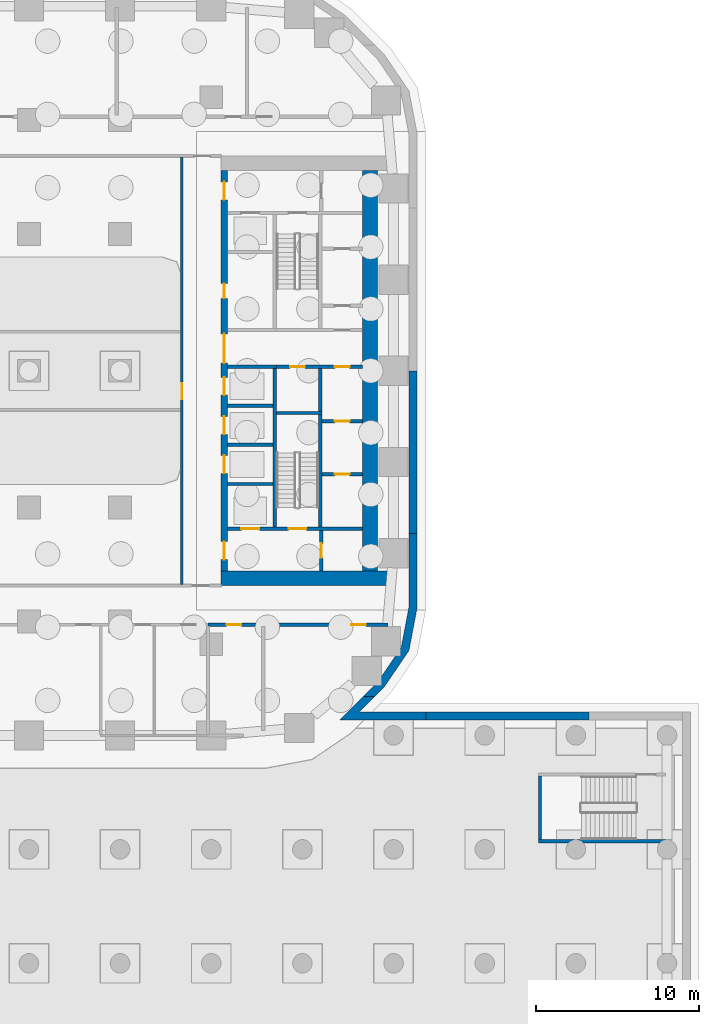
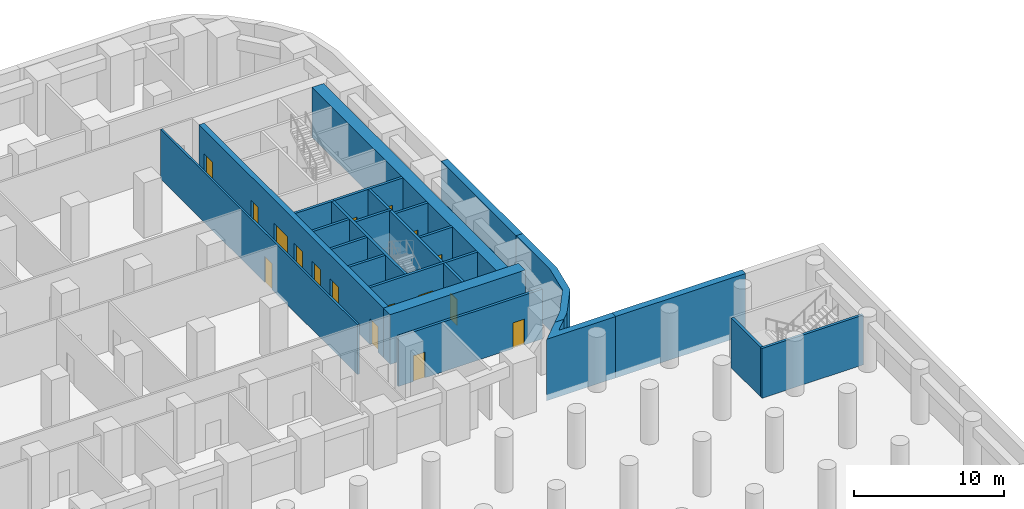
# One storey, part 13 of 23: 24 walls, 17 doors, 17 openings.
"""IFC4 building model written with IfcOpenShell, lengths in metres."""

from ifc_helpers import new_model, si_unit, direction, frame, frame_2d, origin, place, context, subcontext, project, spatial, polyline, rectangle, outline, extrude, material, layer, layer_set, type_object, element, fill, save


model = new_model("IFC4")

# Units and contexts
model_context = context("Model", 3, precision=1e-05, world=origin(), true_north=direction((0.0, 1.0)))
body_context = subcontext(model_context, "Body", "Model", "MODEL_VIEW")
ifc_project = project(units=[si_unit("LENGTHUNIT", "METRE"), si_unit("AREAUNIT", "SQUARE_METRE"), si_unit("VOLUMEUNIT", "CUBIC_METRE"), si_unit("PLANEANGLEUNIT", "RADIAN"), si_unit("MASSUNIT", "GRAM", prefix="KILO")], contexts=[model_context])

# Site, building, storey
site_placement = place(None, origin())
site = spatial("IfcSite", under=ifc_project, at=site_placement, CompositionType="ELEMENT")
building_placement = place(site_placement, origin())
building = spatial("IfcBuilding", under=site, at=building_placement, Name="Kiln Ring Residences", CompositionType="ELEMENT")
storey_placement = place(building_placement, frame((0.0, 0.0, -4.5)))
storey = spatial("IfcBuildingStorey", under=building, at=storey_placement, Name="B1", CompositionType="ELEMENT", Elevation=-4.5)

# Walls
ifc_material_1 = material(Name="Concrete C50/60", Category="concrete")
ifc_layer_1 = layer(ifc_material_1, 0.5)
ifc_layer_set_1 = layer_set([ifc_layer_1], Name="Basement retaining wall 500 C50/60")
wall_type_1 = type_object("IfcWallType", Name="Basement retaining wall 500 C50/60", PredefinedType="SOLIDWALL", material=ifc_layer_set_1)
placement = place(storey_placement, frame((0.0, 0.0, -0.5)))
element("IfcWall", 1, at=placement, inside=storey, type_object=wall_type_1, Name="Basement retaining wall B1 26", PredefinedType="SOLIDWALL", context=body_context, shape_type="SweptSolid", body=[
    extrude(outline(polyline([(26.8505859375, -20.0), (26.1435546875, -20.0), (24.705322265625, -21.438232421875), (24.68798828125, -21.449951171875), (30.0, -21.449951171875), (30.0, -20.949951171875), (25.900634765625, -20.949951171875), (26.8505859375, -20.0)])), origin(), (0.0, 0.0, 1.0), 5.0),
])
element("IfcWall", 2, at=placement, inside=storey, type_object=wall_type_1, Name="Basement retaining wall B1 27", PredefinedType="SOLIDWALL", context=body_context, shape_type="SweptSolid", body=[
    extrude(outline(polyline([(29.449951171875, -10.0), (28.949951171875, -10.0), (28.949951171875, -14.48974609375), (28.47216796875, -16.99560546875), (27.0380859375, -19.105224609375), (26.1435546875, -20.0), (26.8505859375, -20.0), (27.425048828125, -19.425537109375), (28.94384765625, -17.19091796875), (29.449951171875, -14.537109375), (29.449951171875, -10.0)])), origin(), (0.0, 0.0, 1.0), 5.0),
])
element("IfcWall", 3, at=placement, inside=storey, type_object=wall_type_1, Name="Basement retaining wall B1 28", PredefinedType="SOLIDWALL", context=body_context, shape_type="SweptSolid", body=[
    extrude(outline(polyline([(29.449951171875, 0.0), (28.949951171875, 0.0), (28.949951171875, -10.0), (29.449951171875, -10.0), (29.449951171875, 0.0)])), origin(), (0.0, 0.0, 1.0), 5.0),
])
element("IfcWall", 4, at=placement, inside=storey, type_object=wall_type_1, Name="Basement retaining wall B1 33", PredefinedType="SOLIDWALL", context=body_context, shape_type="SweptSolid", body=[
    extrude(outline(polyline([(30.0, -20.949951171875), (30.0, -21.449951171875), (40.0, -21.449951171875), (40.0, -20.949951171875), (30.0, -20.949951171875)])), origin(), (0.0, 0.0, 1.0), 5.0),
])
ifc_material_2 = material(Name="Gypsum board on steel studs", Category="steel")
ifc_layer_2 = layer(ifc_material_2, 0.199951171875)
ifc_layer_set_2 = layer_set([ifc_layer_2], Name="CORE-PARTITION-200")
wall_type_2 = type_object("IfcWallType", Name="CORE-PARTITION-200", PredefinedType="PARTITIONING", material=ifc_layer_set_2)
wall_5_placement = place(storey_placement, frame((23.5, -2.5, 0.0), z_axis=(0.0, 0.0, 1.0), x_axis=(0.0, 1.0, 0.0)))
element("IfcWall", 5, at=wall_5_placement, inside=storey, type_object=wall_type_2, Name="Core partition east B1 1", PredefinedType="PARTITIONING", context=body_context, shape_type="SweptSolid", body=[
    extrude(rectangle(XDim=2.64990234375, YDim=0.199951171875, at=frame_2d((1.324951171875, 0.0))), origin(), (0.0, 0.0, 1.0), 4.050048828125),
])

# Wall, openings, doors
wall_6_placement = place(storey_placement, frame((20.800048828125, 0.25, 0.0), z_axis=(0.0, 0.0, 1.0), x_axis=(1.0, 0.0, 0.0)))
wall_6 = element("IfcWall", 6, at=wall_6_placement, inside=storey, type_object=wall_type_2, Name="Core partition east B1 2", PredefinedType="PARTITIONING", context=body_context, shape_type="SweptSolid", body=[
    extrude(rectangle(XDim=5.300048828125, YDim=0.199951171875, at=frame_2d((2.64990234375, 0.0))), origin(), (0.0, 0.0, 1.0), 4.050048828125),
])
opening_1_placement = place(wall_6_placement, frame((0.85009765625, 0.0, 0.0)))
opening_1 = element("IfcOpeningElement", 7, at=opening_1_placement, cuts=wall_6, Name="Opening B1-CE14", PredefinedType="OPENING", context=body_context, shape_type="SweptSolid", body=[
    extrude(rectangle(XDim=0.89990234375, YDim=2.10009765625, at=frame_2d((0.449951171875, 1.050048828125))), frame((0.0, 0.10986328125, 0.0), z_axis=(0.0, -1.0, 0.0), x_axis=(1.0, 0.0, 0.0)), (0.0, 0.0, 1.0), 0.219970703125),
])
opening_2_placement = place(wall_6_placement, frame((3.60009765625, 0.0, 0.0)))
opening_2 = element("IfcOpeningElement", 8, at=opening_2_placement, cuts=wall_6, Name="Opening B1-CE17", PredefinedType="OPENING", context=body_context, shape_type="SweptSolid", body=[
    extrude(rectangle(XDim=0.89990234375, YDim=2.10009765625, at=frame_2d((0.449951171875, 1.050048828125))), frame((0.0, 0.10986328125, 0.0), z_axis=(0.0, -1.0, 0.0), x_axis=(1.0, 0.0, 0.0)), (0.0, 0.0, 1.0), 0.219970703125),
])
ifc_material_3 = material(Name="Steel door leaf", Category="steel")
door_type_1 = type_object("IfcDoorType", Name="CORE-DOOR-ROOM", OperationType="SINGLE_SWING_LEFT", PredefinedType="DOOR", material=ifc_material_3)
door_1_placement = place(opening_1_placement, origin())
door_1 = element("IfcDoor", 9, at=door_1_placement, inside=storey, type_object=door_type_1, Name="Electrical riser room B1-CE14", OperationType="SINGLE_SWING_LEFT", OverallHeight=2.10009765625, OverallWidth=0.89990234375, PredefinedType="DOOR", context=body_context, shape_type="SweptSolid", body=[
    extrude(rectangle(XDim=0.89990234375, YDim=2.10009765625, at=frame_2d((0.449951171875, 1.050048828125))), frame((0.0, 0.02490234375, 0.0), z_axis=(0.0, -1.0, 0.0), x_axis=(1.0, 0.0, 0.0)), (0.0, 0.0, 1.0), 0.050048828125),
])
fill(opening_1, door_1)
door_2_placement = place(opening_2_placement, origin())
door_2 = element("IfcDoor", 10, at=door_2_placement, inside=storey, type_object=door_type_1, Name="Plant room B1-CE17", OperationType="SINGLE_SWING_RIGHT", OverallHeight=2.10009765625, OverallWidth=0.89990234375, PredefinedType="DOOR", context=body_context, shape_type="SweptSolid", body=[
    extrude(rectangle(XDim=0.89990234375, YDim=2.10009765625, at=frame_2d((0.449951171875, 1.050048828125))), frame((0.0, 0.02490234375, 0.0), z_axis=(0.0, -1.0, 0.0), x_axis=(1.0, 0.0, 0.0)), (0.0, 0.0, 1.0), 0.050048828125),
])
fill(opening_2, door_2)

# Wall, opening, door
wall_7_placement = place(storey_placement, frame((23.550048828125, -12.300048828125, 0.0), z_axis=(0.0, 0.0, 1.0), x_axis=(0.0, 1.0, 0.0)))
wall_7 = element("IfcWall", 11, at=wall_7_placement, inside=storey, type_object=wall_type_2, Name="Core partition east B1 4", PredefinedType="PARTITIONING", context=body_context, shape_type="SweptSolid", body=[
    extrude(rectangle(XDim=2.5, YDim=0.199951171875, at=frame_2d((1.25, 0.0))), origin(), (0.0, 0.0, 1.0), 4.050048828125),
])
opening_3_placement = place(wall_7_placement, frame((0.800048828125, 0.0, 0.0)))
opening_3 = element("IfcOpeningElement", 12, at=opening_3_placement, cuts=wall_7, Name="Opening B1-CE10", PredefinedType="OPENING", context=body_context, shape_type="SweptSolid", body=[
    extrude(rectangle(XDim=0.89990234375, YDim=2.10009765625, at=frame_2d((0.449951171875, 1.050048828125))), frame((0.0, 0.10986328125, 0.0), z_axis=(0.0, -1.0, 0.0), x_axis=(1.0, 0.0, 0.0)), (0.0, 0.0, 1.0), 0.219970703125),
])
door_3_placement = place(opening_3_placement, origin())
door_3 = element("IfcDoor", 13, at=door_3_placement, inside=storey, type_object=door_type_1, Name="Store B1-CE10", OperationType="SINGLE_SWING_LEFT", OverallHeight=2.10009765625, OverallWidth=0.89990234375, PredefinedType="DOOR", context=body_context, shape_type="SweptSolid", body=[
    extrude(rectangle(XDim=0.89990234375, YDim=2.10009765625, at=frame_2d((0.449951171875, 1.050048828125))), frame((0.0, 0.02490234375, 0.0), z_axis=(0.0, -1.0, 0.0), x_axis=(1.0, 0.0, 0.0)), (0.0, 0.0, 1.0), 0.050048828125),
])
fill(opening_3, door_3)

wall_8_placement = place(storey_placement, frame((23.60009765625, -6.35009765625, 0.0), z_axis=(0.0, 0.0, 1.0), x_axis=(1.0, 0.0, 0.0)))
wall_8 = element("IfcWall", 14, at=wall_8_placement, inside=storey, type_object=wall_type_2, Name="Core partition east B1 5", PredefinedType="PARTITIONING", context=body_context, shape_type="SweptSolid", body=[
    extrude(rectangle(XDim=2.5, YDim=0.199951171875, at=frame_2d((1.25, 0.0))), origin(), (0.0, 0.0, 1.0), 4.050048828125),
])
opening_4_placement = place(wall_8_placement, frame((0.800048828125, 0.0, 0.0)))
opening_4 = element("IfcOpeningElement", 15, at=opening_4_placement, cuts=wall_8, Name="Opening B1-CE15", PredefinedType="OPENING", context=body_context, shape_type="SweptSolid", body=[
    extrude(rectangle(XDim=0.89990234375, YDim=2.10009765625, at=frame_2d((0.449951171875, 1.050048828125))), frame((0.0, 0.10986328125, 0.0), z_axis=(0.0, -1.0, 0.0), x_axis=(1.0, 0.0, 0.0)), (0.0, 0.0, 1.0), 0.219970703125),
])
door_4_placement = place(opening_4_placement, origin())
door_4 = element("IfcDoor", 16, at=door_4_placement, inside=storey, type_object=door_type_1, Name="Meter room B1-CE15", OperationType="SINGLE_SWING_LEFT", OverallHeight=2.10009765625, OverallWidth=0.89990234375, PredefinedType="DOOR", context=body_context, shape_type="SweptSolid", body=[
    extrude(rectangle(XDim=0.89990234375, YDim=2.10009765625, at=frame_2d((0.449951171875, 1.050048828125))), frame((0.0, 0.02490234375, 0.0), z_axis=(0.0, -1.0, 0.0), x_axis=(1.0, 0.0, 0.0)), (0.0, 0.0, 1.0), 0.050048828125),
])
fill(opening_4, door_4)

wall_9_placement = place(storey_placement, frame((23.60009765625, -3.10009765625, 0.0), z_axis=(0.0, 0.0, 1.0), x_axis=(1.0, 0.0, 0.0)))
wall_9 = element("IfcWall", 17, at=wall_9_placement, inside=storey, type_object=wall_type_2, Name="Core partition east B1 6", PredefinedType="PARTITIONING", context=body_context, shape_type="SweptSolid", body=[
    extrude(rectangle(XDim=2.5, YDim=0.199951171875, at=frame_2d((1.25, 0.0))), origin(), (0.0, 0.0, 1.0), 4.050048828125),
])
opening_5_placement = place(wall_9_placement, frame((0.800048828125, 0.0, 0.0)))
opening_5 = element("IfcOpeningElement", 18, at=opening_5_placement, cuts=wall_9, Name="Opening B1-CE16", PredefinedType="OPENING", context=body_context, shape_type="SweptSolid", body=[
    extrude(rectangle(XDim=0.89990234375, YDim=2.10009765625, at=frame_2d((0.449951171875, 1.050048828125))), frame((0.0, 0.10986328125, 0.0), z_axis=(0.0, -1.0, 0.0), x_axis=(1.0, 0.0, 0.0)), (0.0, 0.0, 1.0), 0.219970703125),
])
door_5_placement = place(opening_5_placement, origin())
door_5 = element("IfcDoor", 19, at=door_5_placement, inside=storey, type_object=door_type_1, Name="Plant room B1-CE16", OperationType="SINGLE_SWING_RIGHT", OverallHeight=2.10009765625, OverallWidth=0.89990234375, PredefinedType="DOOR", context=body_context, shape_type="SweptSolid", body=[
    extrude(rectangle(XDim=0.89990234375, YDim=2.10009765625, at=frame_2d((0.449951171875, 1.050048828125))), frame((0.0, 0.02490234375, 0.0), z_axis=(0.0, -1.0, 0.0), x_axis=(1.0, 0.0, 0.0)), (0.0, 0.0, 1.0), 0.050048828125),
])
fill(opening_5, door_5)

# Walls
ifc_material_4 = material(Name="Gypsum shaft wall system")
ifc_layer_3 = layer(ifc_material_4, 0.199951171875)
ifc_layer_set_3 = layer_set([ifc_layer_3], Name="CORE-SHAFT-WALL-200")
wall_type_3 = type_object("IfcWallType", Name="CORE-SHAFT-WALL-200", PredefinedType="PARTITIONING", material=ifc_layer_set_3)
for number, where, z_axis, x_axis, name in (
    (20, (17.800048828125, -6.949951171875, 0.0), (0.0, 0.0, 1.0), (1.0, 0.0, 0.0), "Core partition east B1 9"),
    (21, (17.800048828125, -4.550048828125, 0.0), (0.0, 0.0, 1.0), (1.0, 0.0, 0.0), "Core partition east B1 10"),
    (22, (17.800048828125, -2.14990234375, 0.0), (0.0, 0.0, 1.0), (1.0, 0.0, 0.0), "Core partition east B1 11"),
):
    element("IfcWall", number, at=place(storey_placement, frame(where, z_axis=z_axis, x_axis=x_axis)), inside=storey, type_object=wall_type_3, Name=name, PredefinedType="PARTITIONING", context=body_context, shape_type="SweptSolid", body=[
        extrude(rectangle(XDim=2.800048828125, YDim=0.199951171875, at=frame_2d((1.39990234375, 0.0))), origin(), (0.0, 0.0, 1.0), 4.050048828125),
    ])
wall_10_placement = place(storey_placement, frame((17.800048828125, 0.25, 0.0), z_axis=(0.0, 0.0, 1.0), x_axis=(1.0, 0.0, 0.0)))
element("IfcWall", 23, at=wall_10_placement, inside=storey, type_object=wall_type_3, Name="Core partition east B1 12", PredefinedType="PARTITIONING", context=body_context, shape_type="SweptSolid", body=[
    extrude(rectangle(XDim=3.0, YDim=0.199951171875, at=frame_2d((1.5, 0.0))), origin(), (0.0, 0.0, 1.0), 4.050048828125),
])
ifc_material_5 = material(Name="Concrete C40/50", Category="concrete")
ifc_layer_4 = layer(ifc_material_5, 0.199951171875)
ifc_layer_set_4 = layer_set([ifc_layer_4], Name="CORE-WALL-RC200")
wall_type_4 = type_object("IfcWallType", Name="CORE-WALL-RC200", PredefinedType="SHEAR", material=ifc_layer_set_4)
wall_11_placement = place(storey_placement, frame((20.699951171875, -9.60009765625, 0.0), z_axis=(0.0, 0.0, 1.0), x_axis=(0.0, 1.0, 0.0)))
element("IfcWall", 24, at=wall_11_placement, inside=storey, type_object=wall_type_4, Name="Core wall east B1 2", PredefinedType="SHEAR", context=body_context, shape_type="SweptSolid", body=[
    extrude(rectangle(XDim=9.75, YDim=0.199951171875, at=frame_2d((4.875, 0.0))), origin(), (0.0, 0.0, 1.0), 4.050048828125),
])

# Wall, openings, doors
wall_12_placement = place(storey_placement, frame((17.800048828125, -9.699951171875, 0.0), z_axis=(0.0, 0.0, 1.0), x_axis=(1.0, 0.0, 0.0)))
wall_12 = element("IfcWall", 25, at=wall_12_placement, inside=storey, type_object=wall_type_4, Name="Core wall east B1 8", PredefinedType="SHEAR", context=body_context, shape_type="SweptSolid", body=[
    extrude(rectangle(XDim=8.300048828125, YDim=0.199951171875, at=frame_2d((4.14990234375, 0.0))), origin(), (0.0, 0.0, 1.0), 4.050048828125),
])
opening_6_placement = place(wall_12_placement, frame((0.85009765625, 0.0, 0.0)))
opening_6 = element("IfcOpeningElement", 26, at=opening_6_placement, cuts=wall_12, Name="Opening B1-CE01", PredefinedType="OPENING", context=body_context, shape_type="SweptSolid", body=[
    extrude(rectangle(XDim=1.10009765625, YDim=2.10009765625, at=frame_2d((0.550048828125, 1.050048828125))), frame((0.0, 0.10986328125, 0.0), z_axis=(0.0, -1.0, 0.0), x_axis=(1.0, 0.0, 0.0)), (0.0, 0.0, 1.0), 0.219970703125),
])
opening_7_placement = place(wall_12_placement, frame((3.75, 0.0, 0.0)))
opening_7 = element("IfcOpeningElement", 27, at=opening_7_placement, cuts=wall_12, Name="Opening B1-CE12", PredefinedType="OPENING", context=body_context, shape_type="SweptSolid", body=[
    extrude(rectangle(XDim=1.10009765625, YDim=2.10009765625, at=frame_2d((0.550048828125, 1.050048828125))), frame((0.0, 0.10986328125, 0.0), z_axis=(0.0, -1.0, 0.0), x_axis=(1.0, 0.0, 0.0)), (0.0, 0.0, 1.0), 0.219970703125),
])
ifc_material_6 = material(Name="Steel door leaf", Category="steel")
door_type_2 = type_object("IfcDoorType", Name="CORE-DOOR-LD", OperationType="DOUBLE_DOOR_SLIDING", PredefinedType="DOOR", material=ifc_material_6)
door_6_placement = place(opening_6_placement, origin())
door_6 = element("IfcDoor", 28, at=door_6_placement, inside=storey, type_object=door_type_2, Name="LD E-SV B1-CE01", OperationType="DOUBLE_DOOR_SLIDING", OverallHeight=2.10009765625, OverallWidth=1.10009765625, PredefinedType="DOOR", context=body_context, shape_type="SweptSolid", body=[
    extrude(rectangle(XDim=1.10009765625, YDim=2.10009765625, at=frame_2d((0.550048828125, 1.050048828125))), frame((0.0, 0.02490234375, 0.0), z_axis=(0.0, -1.0, 0.0), x_axis=(1.0, 0.0, 0.0)), (0.0, 0.0, 1.0), 0.050048828125),
])
fill(opening_6, door_6)
ifc_material_7 = material(Name="Steel door leaf", Category="steel")
door_type_3 = type_object("IfcDoorType", Name="CORE-DOOR-STAIR", OperationType="SINGLE_SWING_LEFT", PredefinedType="DOOR", material=ifc_material_7)
door_7_placement = place(opening_7_placement, origin())
door_7 = element("IfcDoor", 29, at=door_7_placement, inside=storey, type_object=door_type_3, Name="Stair E-STS B1-CE12", OperationType="SINGLE_SWING_RIGHT", OverallHeight=2.10009765625, OverallWidth=1.10009765625, PredefinedType="DOOR", context=body_context, shape_type="SweptSolid", body=[
    extrude(rectangle(XDim=1.10009765625, YDim=2.10009765625, at=frame_2d((0.550048828125, 1.050048828125))), frame((0.0, 0.02490234375, 0.0), z_axis=(0.0, -1.0, 0.0), x_axis=(1.0, 0.0, 0.0)), (0.0, 0.0, 1.0), 0.050048828125),
])
fill(opening_7, door_7)

# Walls
wall_13_placement = place(storey_placement, frame((23.5, -9.60009765625, 0.0), z_axis=(0.0, 0.0, 1.0), x_axis=(0.0, 1.0, 0.0)))
element("IfcWall", 30, at=wall_13_placement, inside=storey, type_object=wall_type_4, Name="Core wall east B1 11", PredefinedType="SHEAR", context=body_context, shape_type="SweptSolid", body=[
    extrude(rectangle(XDim=6.900146484375, YDim=0.199951171875, at=frame_2d((3.4501953125, 0.0))), origin(), (0.0, 0.0, 1.0), 4.050048828125),
])
wall_14_placement = place(storey_placement, frame((20.800048828125, -2.60009765625, 0.0), z_axis=(0.0, 0.0, 1.0), x_axis=(1.0, 0.0, 0.0)))
element("IfcWall", 31, at=wall_14_placement, inside=storey, type_object=wall_type_4, Name="Core wall east B1 12", PredefinedType="SHEAR", context=body_context, shape_type="SweptSolid", body=[
    extrude(rectangle(XDim=2.800048828125, YDim=0.199951171875, at=frame_2d((1.39990234375, 0.0))), origin(), (0.0, 0.0, 1.0), 4.050048828125),
])

# Wall, openings, doors
ifc_material_8 = material(Name="Concrete C60/75", Category="concrete")
ifc_layer_5 = layer(ifc_material_8, 0.39990234375)
ifc_layer_set_5 = layer_set([ifc_layer_5], Name="CORE-WALL-RC400")
wall_type_5 = type_object("IfcWallType", Name="CORE-WALL-RC400", PredefinedType="SHEAR", material=ifc_layer_set_5)
wall_15_placement = place(storey_placement, frame((17.60009765625, -12.300048828125, 0.0), z_axis=(0.0, 0.0, 1.0), x_axis=(0.0, 1.0, 0.0)))
wall_15 = element("IfcWall", 32, at=wall_15_placement, inside=storey, type_object=wall_type_5, Name="Core wall east B1 6", PredefinedType="SHEAR", context=body_context, shape_type="SweptSolid", body=[
    extrude(rectangle(XDim=24.60009765625, YDim=0.39990234375, at=frame_2d((12.300048828125, 0.0))), origin(), (0.0, 0.0, 1.0), 4.050048828125),
])
opening_8_placement = place(wall_15_placement, frame((6.0, 0.0, 0.0)))
opening_8 = element("IfcOpeningElement", 33, at=opening_8_placement, cuts=wall_15, Name="Opening B1-CE02", PredefinedType="OPENING", context=body_context, shape_type="SweptSolid", body=[
    extrude(rectangle(XDim=1.10009765625, YDim=2.10009765625, at=frame_2d((0.550048828125, 1.050048828125))), frame((0.0, 0.2099609375, 0.0), z_axis=(0.0, -1.0, 0.0), x_axis=(1.0, 0.0, 0.0)), (0.0, 0.0, 1.0), 0.419921875),
])
opening_9_placement = place(wall_15_placement, frame((8.39990234375, 0.0, 0.0)))
opening_9 = element("IfcOpeningElement", 34, at=opening_9_placement, cuts=wall_15, Name="Opening B1-CE03", PredefinedType="OPENING", context=body_context, shape_type="SweptSolid", body=[
    extrude(rectangle(XDim=1.10009765625, YDim=2.10009765625, at=frame_2d((0.550048828125, 1.050048828125))), frame((0.0, 0.2099609375, 0.0), z_axis=(0.0, -1.0, 0.0), x_axis=(1.0, 0.0, 0.0)), (0.0, 0.0, 1.0), 0.419921875),
])
opening_10_placement = place(wall_15_placement, frame((10.800048828125, 0.0, 0.0)))
opening_10 = element("IfcOpeningElement", 35, at=opening_10_placement, cuts=wall_15, Name="Opening B1-CE04", PredefinedType="OPENING", context=body_context, shape_type="SweptSolid", body=[
    extrude(rectangle(XDim=1.10009765625, YDim=2.10009765625, at=frame_2d((0.550048828125, 1.050048828125))), frame((0.0, 0.2099609375, 0.0), z_axis=(0.0, -1.0, 0.0), x_axis=(1.0, 0.0, 0.0)), (0.0, 0.0, 1.0), 0.419921875),
])
opening_11_placement = place(wall_15_placement, frame((16.75, 0.0, 0.0)))
opening_11 = element("IfcOpeningElement", 36, at=opening_11_placement, cuts=wall_15, Name="Opening B1-CE05", PredefinedType="OPENING", context=body_context, shape_type="SweptSolid", body=[
    extrude(rectangle(XDim=0.89990234375, YDim=2.10009765625, at=frame_2d((0.449951171875, 1.050048828125))), frame((0.0, 0.2099609375, 0.0), z_axis=(0.0, -1.0, 0.0), x_axis=(1.0, 0.0, 0.0)), (0.0, 0.0, 1.0), 0.419921875),
])
opening_12_placement = place(wall_15_placement, frame((22.800048828125, 0.0, 0.0)))
opening_12 = element("IfcOpeningElement", 37, at=opening_12_placement, cuts=wall_15, Name="Opening B1-CE07", PredefinedType="OPENING", context=body_context, shape_type="SweptSolid", body=[
    extrude(rectangle(XDim=1.10009765625, YDim=2.10009765625, at=frame_2d((0.550048828125, 1.050048828125))), frame((0.0, 0.2099609375, 0.0), z_axis=(0.0, -1.0, 0.0), x_axis=(1.0, 0.0, 0.0)), (0.0, 0.0, 1.0), 0.419921875),
])
opening_13_placement = place(wall_15_placement, frame((0.699951171875, 0.0, 0.0)))
opening_13 = element("IfcOpeningElement", 38, at=opening_13_placement, cuts=wall_15, Name="Opening B1-CE08", PredefinedType="OPENING", context=body_context, shape_type="SweptSolid", body=[
    extrude(rectangle(XDim=1.10009765625, YDim=2.10009765625, at=frame_2d((0.550048828125, 1.050048828125))), frame((0.0, 0.2099609375, 0.0), z_axis=(0.0, -1.0, 0.0), x_axis=(1.0, 0.0, 0.0)), (0.0, 0.0, 1.0), 0.419921875),
])
opening_14_placement = place(wall_15_placement, frame((12.77490234375, 0.0, 0.0)))
opening_14 = element("IfcOpeningElement", 39, at=opening_14_placement, cuts=wall_15, Name="Opening B1-CE13", PredefinedType="OPENING", context=body_context, shape_type="SweptSolid", body=[
    extrude(rectangle(XDim=1.800048828125, YDim=2.10009765625, at=frame_2d((0.89990234375, 1.050048828125))), frame((0.0, 0.2099609375, 0.0), z_axis=(0.0, -1.0, 0.0), x_axis=(1.0, 0.0, 0.0)), (0.0, 0.0, 1.0), 0.419921875),
])
door_8_placement = place(opening_8_placement, origin())
door_8 = element("IfcDoor", 40, at=door_8_placement, inside=storey, type_object=door_type_2, Name="LD E-L1 B1-CE02", OperationType="DOUBLE_DOOR_SLIDING", OverallHeight=2.10009765625, OverallWidth=1.10009765625, PredefinedType="DOOR", context=body_context, shape_type="SweptSolid", body=[
    extrude(rectangle(XDim=1.10009765625, YDim=2.10009765625, at=frame_2d((0.550048828125, 1.050048828125))), frame((0.0, 0.02490234375, 0.0), z_axis=(0.0, -1.0, 0.0), x_axis=(1.0, 0.0, 0.0)), (0.0, 0.0, 1.0), 0.050048828125),
])
fill(opening_8, door_8)
door_9_placement = place(opening_9_placement, origin())
door_9 = element("IfcDoor", 41, at=door_9_placement, inside=storey, type_object=door_type_2, Name="LD E-L2 B1-CE03", OperationType="DOUBLE_DOOR_SLIDING", OverallHeight=2.10009765625, OverallWidth=1.10009765625, PredefinedType="DOOR", context=body_context, shape_type="SweptSolid", body=[
    extrude(rectangle(XDim=1.10009765625, YDim=2.10009765625, at=frame_2d((0.550048828125, 1.050048828125))), frame((0.0, 0.02490234375, 0.0), z_axis=(0.0, -1.0, 0.0), x_axis=(1.0, 0.0, 0.0)), (0.0, 0.0, 1.0), 0.050048828125),
])
fill(opening_9, door_9)
door_10_placement = place(opening_10_placement, origin())
door_10 = element("IfcDoor", 42, at=door_10_placement, inside=storey, type_object=door_type_2, Name="LD E-L3 B1-CE04", OperationType="DOUBLE_DOOR_SLIDING", OverallHeight=2.10009765625, OverallWidth=1.10009765625, PredefinedType="DOOR", context=body_context, shape_type="SweptSolid", body=[
    extrude(rectangle(XDim=1.10009765625, YDim=2.10009765625, at=frame_2d((0.550048828125, 1.050048828125))), frame((0.0, 0.02490234375, 0.0), z_axis=(0.0, -1.0, 0.0), x_axis=(1.0, 0.0, 0.0)), (0.0, 0.0, 1.0), 0.050048828125),
])
fill(opening_10, door_10)
ifc_material_9 = material(Name="Steel door leaf", Category="steel")
door_type_4 = type_object("IfcDoorType", Name="CORE-DOOR-LOBBY", OperationType="SINGLE_SWING_LEFT", PredefinedType="DOOR", material=ifc_material_9)
door_11_placement = place(opening_12_placement, origin())
door_11 = element("IfcDoor", 43, at=door_11_placement, inside=storey, type_object=door_type_4, Name="FFL B1-CE07", OperationType="SINGLE_SWING_LEFT", OverallHeight=2.10009765625, OverallWidth=1.10009765625, PredefinedType="DOOR", context=body_context, shape_type="SweptSolid", body=[
    extrude(rectangle(XDim=1.10009765625, YDim=2.10009765625, at=frame_2d((0.550048828125, 1.050048828125))), frame((0.0, 0.02490234375, 0.0), z_axis=(0.0, -1.0, 0.0), x_axis=(1.0, 0.0, 0.0)), (0.0, 0.0, 1.0), 0.050048828125),
])
fill(opening_12, door_11)
door_12_placement = place(opening_13_placement, origin())
door_12 = element("IfcDoor", 44, at=door_12_placement, inside=storey, type_object=door_type_4, Name="SVL B1-CE08", OperationType="SINGLE_SWING_RIGHT", OverallHeight=2.10009765625, OverallWidth=1.10009765625, PredefinedType="DOOR", context=body_context, shape_type="SweptSolid", body=[
    extrude(rectangle(XDim=1.10009765625, YDim=2.10009765625, at=frame_2d((0.550048828125, 1.050048828125))), frame((0.0, 0.02490234375, 0.0), z_axis=(0.0, -1.0, 0.0), x_axis=(1.0, 0.0, 0.0)), (0.0, 0.0, 1.0), 0.050048828125),
])
fill(opening_13, door_12)
ifc_material_10 = material(Name="Steel door leaf", Category="steel")
door_type_5 = type_object("IfcDoorType", Name="CORE-DOOR-PASS", OperationType="DOUBLE_DOOR_SINGLE_SWING", PredefinedType="DOOR", material=ifc_material_10)
door_13_placement = place(opening_14_placement, origin())
door_13 = element("IfcDoor", 45, at=door_13_placement, inside=storey, type_object=door_type_5, Name="Core passage B1-CE13", OperationType="DOUBLE_DOOR_SINGLE_SWING", OverallHeight=2.10009765625, OverallWidth=1.800048828125, PredefinedType="DOOR", context=body_context, shape_type="SweptSolid", body=[
    extrude(rectangle(XDim=1.800048828125, YDim=2.10009765625, at=frame_2d((0.89990234375, 1.050048828125))), frame((0.0, 0.02490234375, 0.0), z_axis=(0.0, -1.0, 0.0), x_axis=(1.0, 0.0, 0.0)), (0.0, 0.0, 1.0), 0.050048828125),
])
fill(opening_14, door_13)
door_14_placement = place(opening_11_placement, origin())
door_14 = element("IfcDoor", 46, at=door_14_placement, inside=storey, type_object=door_type_1, Name="Housekeeping store B1-CE05", OperationType="SINGLE_SWING_RIGHT", OverallHeight=2.10009765625, OverallWidth=0.89990234375, PredefinedType="DOOR", context=body_context, shape_type="SweptSolid", body=[
    extrude(rectangle(XDim=0.89990234375, YDim=2.10009765625, at=frame_2d((0.449951171875, 1.050048828125))), frame((0.0, 0.02490234375, 0.0), z_axis=(0.0, -1.0, 0.0), x_axis=(1.0, 0.0, 0.0)), (0.0, 0.0, 1.0), 0.050048828125),
])
fill(opening_11, door_14)

# Walls
ifc_material_11 = material(Name="Concrete C60/75", Category="concrete")
ifc_layer_6 = layer(ifc_material_11, 0.89990234375)
ifc_layer_set_6 = layer_set([ifc_layer_6], Name="CORE-WALL-RC900")
wall_type_6 = type_object("IfcWallType", Name="CORE-WALL-RC900", PredefinedType="SHEAR", material=ifc_layer_set_6)
wall_16_placement = place(storey_placement, frame((17.39990234375, -12.75, 0.0), z_axis=(0.0, 0.0, 1.0), x_axis=(1.0, 0.0, 0.0)))
element("IfcWall", 47, at=wall_16_placement, inside=storey, type_object=wall_type_6, Name="Core wall east B1 5", PredefinedType="SHEAR", context=body_context, shape_type="SweptSolid", body=[
    extrude(rectangle(XDim=10.400146484375, YDim=0.89990234375, at=frame_2d((5.2001953125, 0.0))), origin(), (0.0, 0.0, 1.0), 4.050048828125),
])
wall_17_placement = place(storey_placement, frame((26.550048828125, -12.300048828125, 0.0), z_axis=(0.0, 0.0, 1.0), x_axis=(0.0, 1.0, 0.0)))
element("IfcWall", 48, at=wall_17_placement, inside=storey, type_object=wall_type_6, Name="Core wall east B1 7", PredefinedType="SHEAR", context=body_context, shape_type="SweptSolid", body=[
    extrude(rectangle(XDim=24.60009765625, YDim=0.89990234375, at=frame_2d((12.300048828125, 0.0))), origin(), (0.0, 0.0, 1.0), 4.050048828125),
])

# Wall, opening, door
ifc_material_12 = material(Name="Brick masonry partition", Category="masonry")
ifc_layer_7 = layer(ifc_material_12, 0.14990234375)
ifc_layer_set_7 = layer_set([ifc_layer_7], Name="PARTITION-150-ei60")
wall_type_7 = type_object("IfcWallType", Name="PARTITION-150-ei60", PredefinedType="PARTITIONING", material=ifc_layer_set_7)
wall_18_placement = place(storey_placement, frame((15.0, -13.125, 0.0), z_axis=(0.0, 0.0, 1.0), x_axis=(0.0, 1.0, 0.0)))
wall_18 = element("IfcWall", 49, at=wall_18_placement, inside=storey, type_object=wall_type_7, Name="Partition 030", PredefinedType="PARTITIONING", context=body_context, shape_type="SweptSolid", body=[
    extrude(rectangle(XDim=26.25, YDim=0.14990234375, at=frame_2d((13.125, 0.0))), origin(), (0.0, 0.0, 1.0), 4.050048828125),
])
opening_15_placement = place(wall_18_placement, frame((11.375, 0.0, 0.0)))
opening_15 = element("IfcOpeningElement", 50, at=opening_15_placement, cuts=wall_18, Name="Opening B1-D002", PredefinedType="OPENING", context=body_context, shape_type="SweptSolid", body=[
    extrude(rectangle(XDim=1.0, YDim=2.10009765625, at=frame_2d((0.5, 1.050048828125))), frame((0.0, 0.0849609375, 0.0), z_axis=(0.0, -1.0, 0.0), x_axis=(1.0, 0.0, 0.0)), (0.0, 0.0, 1.0), 0.169921875),
])
ifc_material_13 = material(Name="Steel faced fire door leaf", Category="steel")
door_type_6 = type_object("IfcDoorType", Name="FLAT-DOOR-1000-FR", OperationType="SINGLE_SWING_LEFT", PredefinedType="DOOR", material=ifc_material_13)
door_15_placement = place(opening_15_placement, origin())
door_15 = element("IfcDoor", 51, at=door_15_placement, inside=storey, type_object=door_type_6, Name="Door B1-D002", OperationType="SINGLE_SWING_LEFT", OverallHeight=2.10009765625, OverallWidth=1.0, PredefinedType="DOOR", context=body_context, shape_type="SweptSolid", body=[
    extrude(rectangle(XDim=1.0, YDim=2.10009765625, at=frame_2d((0.5, 1.050048828125))), frame((0.0, 0.02490234375, 0.0), z_axis=(0.0, -1.0, 0.0), x_axis=(1.0, 0.0, 0.0)), (0.0, 0.0, 1.0), 0.050048828125),
])
fill(opening_15, door_15)

# Wall, openings, doors
ifc_material_14 = material(Name="Brick masonry partition", Category="masonry")
ifc_layer_8 = layer(ifc_material_14, 0.199951171875)
ifc_layer_set_8 = layer_set([ifc_layer_8], Name="PARTITION-200-ei120")
wall_type_8 = type_object("IfcWallType", Name="PARTITION-200-ei120", PredefinedType="PARTITIONING", material=ifc_layer_set_8)
wall_19_placement = place(storey_placement, frame((16.60009765625, -15.60009765625, 0.0), z_axis=(0.0, 0.0, 1.0), x_axis=(1.0, 0.0, 0.0)))
wall_19 = element("IfcWall", 52, at=wall_19_placement, inside=storey, type_object=wall_type_8, Name="Partition 008", PredefinedType="PARTITIONING", context=body_context, shape_type="SweptSolid", body=[
    extrude(rectangle(XDim=11.06982421875, YDim=0.199951171875, at=frame_2d((5.534912109375, 0.0))), origin(), (0.0, 0.0, 1.0), 4.050048828125),
])
opening_16_placement = place(wall_19_placement, frame((1.14990234375, 0.0, 0.0)))
opening_16 = element("IfcOpeningElement", 53, at=opening_16_placement, cuts=wall_19, Name="Opening B1-D029", PredefinedType="OPENING", context=body_context, shape_type="SweptSolid", body=[
    extrude(rectangle(XDim=0.89990234375, YDim=2.10009765625, at=frame_2d((0.449951171875, 1.050048828125))), frame((0.0, 0.10986328125, 0.0), z_axis=(0.0, -1.0, 0.0), x_axis=(1.0, 0.0, 0.0)), (0.0, 0.0, 1.0), 0.219970703125),
])
opening_17_placement = place(wall_19_placement, frame((8.794921875, 0.0, 0.0)))
opening_17 = element("IfcOpeningElement", 54, at=opening_17_placement, cuts=wall_19, Name="Opening B1-D030", PredefinedType="OPENING", context=body_context, shape_type="SweptSolid", body=[
    extrude(rectangle(XDim=0.89990234375, YDim=2.10009765625, at=frame_2d((0.449951171875, 1.050048828125))), frame((0.0, 0.10986328125, 0.0), z_axis=(0.0, -1.0, 0.0), x_axis=(1.0, 0.0, 0.0)), (0.0, 0.0, 1.0), 0.219970703125),
])
ifc_material_15 = material(Name="Steel faced fire door leaf", Category="steel")
door_type_7 = type_object("IfcDoorType", Name="FLAT-DOOR-900-FR", OperationType="SINGLE_SWING_LEFT", PredefinedType="DOOR", material=ifc_material_15)
door_16_placement = place(opening_16_placement, origin())
door_16 = element("IfcDoor", 55, at=door_16_placement, inside=storey, type_object=door_type_7, Name="Door B1-D029", OperationType="SINGLE_SWING_LEFT", OverallHeight=2.10009765625, OverallWidth=0.89990234375, PredefinedType="DOOR", context=body_context, shape_type="SweptSolid", body=[
    extrude(rectangle(XDim=0.89990234375, YDim=2.10009765625, at=frame_2d((0.449951171875, 1.050048828125))), frame((0.0, 0.02490234375, 0.0), z_axis=(0.0, -1.0, 0.0), x_axis=(1.0, 0.0, 0.0)), (0.0, 0.0, 1.0), 0.050048828125),
])
fill(opening_16, door_16)
door_17_placement = place(opening_17_placement, origin())
door_17 = element("IfcDoor", 56, at=door_17_placement, inside=storey, type_object=door_type_7, Name="Door B1-D030", OperationType="SINGLE_SWING_RIGHT", OverallHeight=2.10009765625, OverallWidth=0.89990234375, PredefinedType="DOOR", context=body_context, shape_type="SweptSolid", body=[
    extrude(rectangle(XDim=0.89990234375, YDim=2.10009765625, at=frame_2d((0.449951171875, 1.050048828125))), frame((0.0, 0.02490234375, 0.0), z_axis=(0.0, -1.0, 0.0), x_axis=(1.0, 0.0, 0.0)), (0.0, 0.0, 1.0), 0.050048828125),
])
fill(opening_17, door_17)

# Walls
ifc_material_16 = material(Name="Concrete C40/50", Category="concrete")
ifc_layer_9 = layer(ifc_material_16, 0.199951171875)
ifc_layer_set_9 = layer_set([ifc_layer_9], Name="PODIUM-STAIR-WALL-200")
wall_type_9 = type_object("IfcWallType", Name="PODIUM-STAIR-WALL-200", PredefinedType="SHEAR", material=ifc_layer_set_9)
wall_20_placement = place(storey_placement, frame((36.89990234375, -28.89990234375, 0.0), z_axis=(0.0, 0.0, 1.0), x_axis=(1.0, 0.0, 0.0)))
element("IfcWall", 57, at=wall_20_placement, inside=storey, type_object=wall_type_9, Name="Stair wall 001", PredefinedType="SHEAR", context=body_context, shape_type="SweptSolid", body=[
    extrude(rectangle(XDim=7.81005859375, YDim=0.199951171875, at=frame_2d((3.905029296875, 0.0))), origin(), (0.0, 0.0, 1.0), 4.050048828125),
])
wall_21_placement = place(storey_placement, frame((37.0, -28.800048828125, 0.0), z_axis=(0.0, 0.0, 1.0), x_axis=(0.0, 1.0, 0.0)))
element("IfcWall", 58, at=wall_21_placement, inside=storey, type_object=wall_type_9, Name="Stair wall 034", PredefinedType="SHEAR", context=body_context, shape_type="SweptSolid", body=[
    extrude(rectangle(XDim=3.900146484375, YDim=0.199951171875, at=frame_2d((1.9501953125, 0.0))), origin(), (0.0, 0.0, 1.0), 4.050048828125),
])

save(model, "model.ifc")
